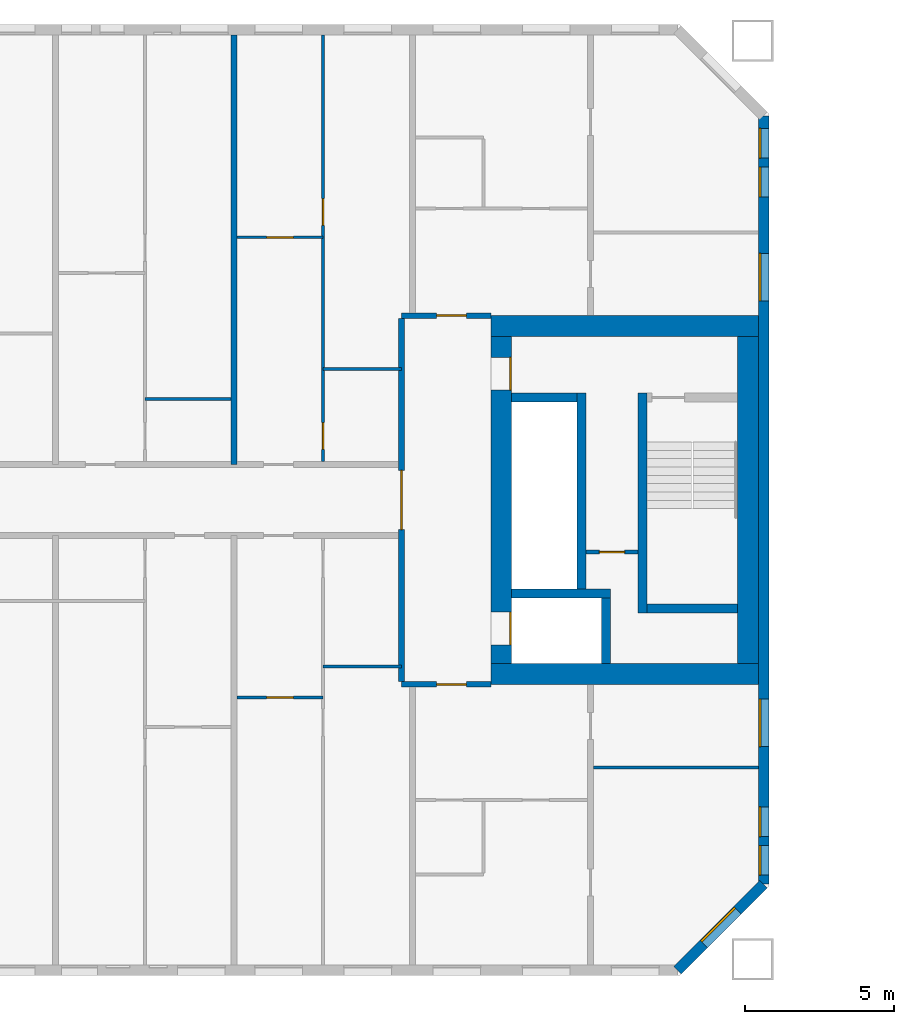
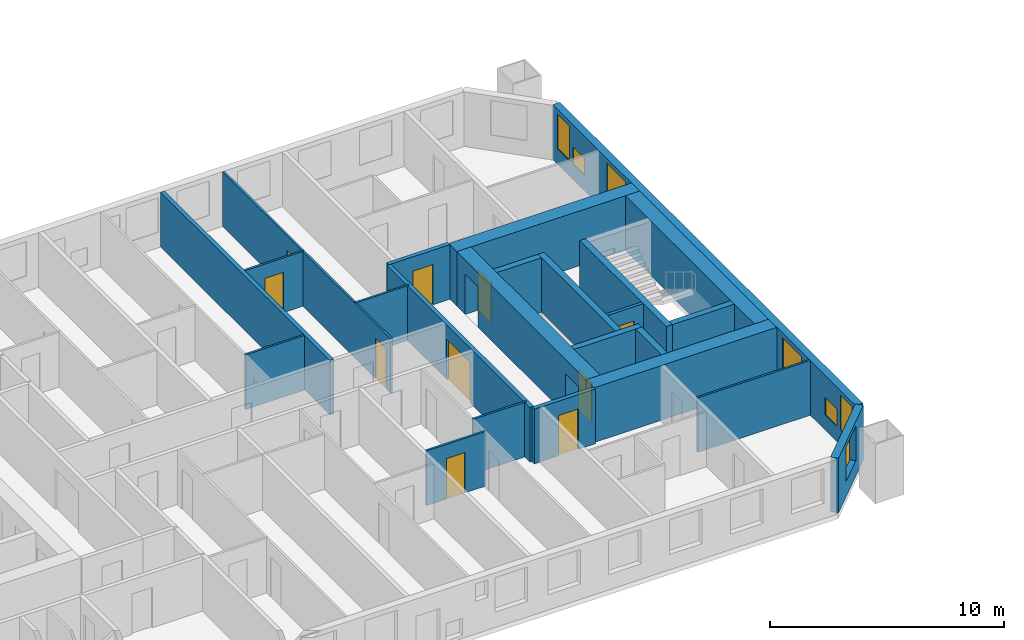
# One storey, part 7 of 17: 24 walls, 10 doors, 7 windows, 17 openings.
"""IFC4 building model written with IfcOpenShell, lengths in metres."""

from ifc_helpers import new_model, si_unit, direction, frame, frame_2d, origin, place, context, subcontext, project, spatial, rectangle, extrude, material, layer, layer_set, type_object, element, fill, save


model = new_model("IFC4")

# Units and contexts
model_context = context("Model", 3, precision=1e-05, world=origin(), true_north=direction((0.0, 1.0)))
body_context = subcontext(model_context, "Body", "Model", "MODEL_VIEW")
ifc_project = project(units=[si_unit("LENGTHUNIT", "METRE"), si_unit("AREAUNIT", "SQUARE_METRE"), si_unit("VOLUMEUNIT", "CUBIC_METRE"), si_unit("PLANEANGLEUNIT", "RADIAN"), si_unit("MASSUNIT", "GRAM", prefix="KILO")], contexts=[model_context])

# Site, building, storey
site_placement = place(None, origin())
site = spatial("IfcSite", under=ifc_project, at=site_placement, CompositionType="ELEMENT")
building_placement = place(site_placement, origin())
building = spatial("IfcBuilding", under=site, at=building_placement, Name="Tuart Gate Housing", CompositionType="ELEMENT")
storey_placement = place(building_placement, frame((0.0, 0.0, 84.0)))
storey = spatial("IfcBuildingStorey", under=building, at=storey_placement, Name="L23", CompositionType="ELEMENT", Elevation=84.0)

# Wall, opening, window
ifc_material_1 = material(Name="Brick", Category="masonry")
ifc_layer_1 = layer(ifc_material_1, 0.360107421875)
ifc_layer_set_1 = layer_set([ifc_layer_1], Name="Brick pier and spandrel wall 360")
wall_type_1 = type_object("IfcWallType", Name="Brick pier and spandrel wall 360", PredefinedType="STANDARD", material=ifc_layer_set_1)
wall_1_placement = place(storey_placement, frame((72.92529296875, 54.179931640625, 0.0), z_axis=(0.0, 0.0, 1.0), x_axis=(0.707106781187, 0.707106781187, 0.0)))
wall_1 = element("IfcWall", 1, at=wall_1_placement, inside=storey, type_object=wall_type_1, Name="External wall A-SE L23", PredefinedType="STANDARD", context=body_context, shape_type="SweptSolid", body=[
    extrude(rectangle(XDim=4.09375, YDim=0.360107421875, at=frame_2d((2.046875, 0.0))), origin(), (0.0, 0.0, 1.0), 2.85009765625),
])
opening_1_placement = place(wall_1_placement, frame((1.2470703125, 0.0, 0.800048828125)))
opening_1 = element("IfcOpeningElement", 2, at=opening_1_placement, cuts=wall_1, Name="Opening W1", PredefinedType="OPENING", context=body_context, shape_type="SweptSolid", body=[
    extrude(rectangle(XDim=1.60009765625, YDim=1.800048828125, at=frame_2d((0.800048828125, 0.89990234375))), frame((0.0, 0.18994140625, 0.0), z_axis=(0.0, -1.0, 0.0), x_axis=(1.0, 0.0, 0.0)), (0.0, 0.0, 1.0), 0.380126953125),
])
ifc_material_2 = material(Name="Aluminium frame with clear glass", Category="aluminium")
window_type_1 = type_object("IfcWindowType", Name="Punched window 1600 x 1800", PartitioningType="SINGLE_PANEL", PredefinedType="WINDOW", material=ifc_material_2)
window_1_placement = place(opening_1_placement, origin())
window_1 = element("IfcWindow", 3, at=window_1_placement, inside=storey, type_object=window_type_1, Name="Window W1", OverallHeight=1.800048828125, OverallWidth=1.60009765625, PartitioningType="SINGLE_PANEL", PredefinedType="WINDOW", context=body_context, shape_type="SweptSolid", body=[
    extrude(rectangle(XDim=1.60009765625, YDim=1.800048828125, at=frame_2d((0.800048828125, 0.89990234375))), frame((0.0, 0.150146484375, 0.0), z_axis=(0.0, -1.0, 0.0), x_axis=(1.0, 0.0, 0.0)), (0.0, 0.0, 1.0), 0.06005859375),
])
fill(opening_1, window_1)

# Wall, openings, windows
wall_2_placement = place(storey_placement, frame((75.820068359375, 57.07470703125, 0.0), z_axis=(0.0, 0.0, 1.0), x_axis=(0.0, 1.0, 0.0)))
wall_2 = element("IfcWall", 4, at=wall_2_placement, inside=storey, type_object=wall_type_1, Name="External wall A-E L23", PredefinedType="STANDARD", context=body_context, shape_type="SweptSolid", body=[
    extrude(rectangle(XDim=25.850830078125, YDim=0.360107421875, at=frame_2d((12.92529296875, 0.0))), origin(), (0.0, 0.0, 1.0), 2.85009765625),
])
opening_2_placement = place(wall_2_placement, frame((0.300048828125, 0.0, 0.800048828125)))
opening_2 = element("IfcOpeningElement", 5, at=opening_2_placement, cuts=wall_2, Name="Opening W1C", PredefinedType="OPENING", context=body_context, shape_type="SweptSolid", body=[
    extrude(rectangle(XDim=1.0, YDim=1.800048828125, at=frame_2d((0.5, 0.89990234375))), frame((0.0, 0.18994140625, 0.0), z_axis=(0.0, -1.0, 0.0), x_axis=(1.0, 0.0, 0.0)), (0.0, 0.0, 1.0), 0.380126953125),
])
opening_3_placement = place(wall_2_placement, frame((4.62548828125, 0.0, 0.800048828125)))
opening_3 = element("IfcOpeningElement", 6, at=opening_3_placement, cuts=wall_2, Name="Opening W1", PredefinedType="OPENING", context=body_context, shape_type="SweptSolid", body=[
    extrude(rectangle(XDim=1.60009765625, YDim=1.800048828125, at=frame_2d((0.800048828125, 0.89990234375))), frame((0.0, 0.18994140625, 0.0), z_axis=(0.0, -1.0, 0.0), x_axis=(1.0, 0.0, 0.0)), (0.0, 0.0, 1.0), 0.380126953125),
])
opening_4_placement = place(wall_2_placement, frame((19.62548828125, 0.0, 0.800048828125)))
opening_4 = element("IfcOpeningElement", 7, at=opening_4_placement, cuts=wall_2, Name="Opening W1", PredefinedType="OPENING", context=body_context, shape_type="SweptSolid", body=[
    extrude(rectangle(XDim=1.60009765625, YDim=1.800048828125, at=frame_2d((0.800048828125, 0.89990234375))), frame((0.0, 0.18994140625, 0.0), z_axis=(0.0, -1.0, 0.0), x_axis=(1.0, 0.0, 0.0)), (0.0, 0.0, 1.0), 0.380126953125),
])
opening_5_placement = place(wall_2_placement, frame((23.12548828125, 0.0, 0.800048828125)))
opening_5 = element("IfcOpeningElement", 8, at=opening_5_placement, cuts=wall_2, Name="Opening W1U", PredefinedType="OPENING", context=body_context, shape_type="SweptSolid", body=[
    extrude(rectangle(XDim=1.0, YDim=0.89990234375, at=frame_2d((0.5, 0.449951171875))), frame((0.0, 0.18994140625, 0.0), z_axis=(0.0, -1.0, 0.0), x_axis=(1.0, 0.0, 0.0)), (0.0, 0.0, 1.0), 0.380126953125),
])
opening_6_placement = place(wall_2_placement, frame((1.60009765625, 0.0, 0.800048828125)))
opening_6 = element("IfcOpeningElement", 9, at=opening_6_placement, cuts=wall_2, Name="Opening W1U", PredefinedType="OPENING", context=body_context, shape_type="SweptSolid", body=[
    extrude(rectangle(XDim=1.0, YDim=0.89990234375, at=frame_2d((0.5, 0.449951171875))), frame((0.0, 0.18994140625, 0.0), z_axis=(0.0, -1.0, 0.0), x_axis=(1.0, 0.0, 0.0)), (0.0, 0.0, 1.0), 0.380126953125),
])
opening_7_placement = place(wall_2_placement, frame((24.42529296875, 0.0, 0.800048828125)))
opening_7 = element("IfcOpeningElement", 10, at=opening_7_placement, cuts=wall_2, Name="Opening W1C", PredefinedType="OPENING", context=body_context, shape_type="SweptSolid", body=[
    extrude(rectangle(XDim=1.0, YDim=1.800048828125, at=frame_2d((0.5, 0.89990234375))), frame((0.0, 0.18994140625, 0.0), z_axis=(0.0, -1.0, 0.0), x_axis=(1.0, 0.0, 0.0)), (0.0, 0.0, 1.0), 0.380126953125),
])
ifc_material_3 = material(Name="Aluminium frame with clear glass", Category="aluminium")
window_type_2 = type_object("IfcWindowType", Name="Punched window 1000 x 1800", PartitioningType="SINGLE_PANEL", PredefinedType="WINDOW", material=ifc_material_3)
window_2_placement = place(opening_2_placement, origin())
window_2 = element("IfcWindow", 11, at=window_2_placement, inside=storey, type_object=window_type_2, Name="Window W1C", OverallHeight=1.800048828125, OverallWidth=1.0, PartitioningType="SINGLE_PANEL", PredefinedType="WINDOW", context=body_context, shape_type="SweptSolid", body=[
    extrude(rectangle(XDim=1.0, YDim=1.800048828125, at=frame_2d((0.5, 0.89990234375))), frame((0.0, 0.150146484375, 0.0), z_axis=(0.0, -1.0, 0.0), x_axis=(1.0, 0.0, 0.0)), (0.0, 0.0, 1.0), 0.06005859375),
])
fill(opening_2, window_2)
window_3_placement = place(opening_7_placement, origin())
window_3 = element("IfcWindow", 12, at=window_3_placement, inside=storey, type_object=window_type_2, Name="Window W1C", OverallHeight=1.800048828125, OverallWidth=1.0, PartitioningType="SINGLE_PANEL", PredefinedType="WINDOW", context=body_context, shape_type="SweptSolid", body=[
    extrude(rectangle(XDim=1.0, YDim=1.800048828125, at=frame_2d((0.5, 0.89990234375))), frame((0.0, 0.150146484375, 0.0), z_axis=(0.0, -1.0, 0.0), x_axis=(1.0, 0.0, 0.0)), (0.0, 0.0, 1.0), 0.06005859375),
])
fill(opening_7, window_3)
ifc_material_4 = material(Name="Aluminium frame with clear glass", Category="aluminium")
window_type_3 = type_object("IfcWindowType", Name="Punched window 1000 x 900", PartitioningType="SINGLE_PANEL", PredefinedType="WINDOW", material=ifc_material_4)
window_4_placement = place(opening_5_placement, origin())
window_4 = element("IfcWindow", 13, at=window_4_placement, inside=storey, type_object=window_type_3, Name="Window W1U", OverallHeight=0.89990234375, OverallWidth=1.0, PartitioningType="SINGLE_PANEL", PredefinedType="WINDOW", context=body_context, shape_type="SweptSolid", body=[
    extrude(rectangle(XDim=1.0, YDim=0.89990234375, at=frame_2d((0.5, 0.449951171875))), frame((0.0, 0.150146484375, 0.0), z_axis=(0.0, -1.0, 0.0), x_axis=(1.0, 0.0, 0.0)), (0.0, 0.0, 1.0), 0.06005859375),
])
fill(opening_5, window_4)
window_5_placement = place(opening_6_placement, origin())
window_5 = element("IfcWindow", 14, at=window_5_placement, inside=storey, type_object=window_type_3, Name="Window W1U", OverallHeight=0.89990234375, OverallWidth=1.0, PartitioningType="SINGLE_PANEL", PredefinedType="WINDOW", context=body_context, shape_type="SweptSolid", body=[
    extrude(rectangle(XDim=1.0, YDim=0.89990234375, at=frame_2d((0.5, 0.449951171875))), frame((0.0, 0.150146484375, 0.0), z_axis=(0.0, -1.0, 0.0), x_axis=(1.0, 0.0, 0.0)), (0.0, 0.0, 1.0), 0.06005859375),
])
fill(opening_6, window_5)
window_6_placement = place(opening_3_placement, origin())
window_6 = element("IfcWindow", 15, at=window_6_placement, inside=storey, type_object=window_type_1, Name="Window W1", OverallHeight=1.800048828125, OverallWidth=1.60009765625, PartitioningType="SINGLE_PANEL", PredefinedType="WINDOW", context=body_context, shape_type="SweptSolid", body=[
    extrude(rectangle(XDim=1.60009765625, YDim=1.800048828125, at=frame_2d((0.800048828125, 0.89990234375))), frame((0.0, 0.150146484375, 0.0), z_axis=(0.0, -1.0, 0.0), x_axis=(1.0, 0.0, 0.0)), (0.0, 0.0, 1.0), 0.06005859375),
])
fill(opening_3, window_6)
window_7_placement = place(opening_4_placement, origin())
window_7 = element("IfcWindow", 16, at=window_7_placement, inside=storey, type_object=window_type_1, Name="Window W1", OverallHeight=1.800048828125, OverallWidth=1.60009765625, PartitioningType="SINGLE_PANEL", PredefinedType="WINDOW", context=body_context, shape_type="SweptSolid", body=[
    extrude(rectangle(XDim=1.60009765625, YDim=1.800048828125, at=frame_2d((0.800048828125, 0.89990234375))), frame((0.0, 0.150146484375, 0.0), z_axis=(0.0, -1.0, 0.0), x_axis=(1.0, 0.0, 0.0)), (0.0, 0.0, 1.0), 0.06005859375),
])
fill(opening_4, window_7)

# Wall, opening, door
ifc_material_5 = material(Name="Plasterboard partition")
ifc_layer_2 = layer(ifc_material_5, 0.14990234375)
ifc_layer_set_2 = layer_set([ifc_layer_2], Name="Core partition 150")
wall_type_2 = type_object("IfcWallType", Name="Core partition 150", PredefinedType="PARTITIONING", material=ifc_layer_set_2)
wall_3_placement = place(storey_placement, frame((69.840087890625, 68.25, 0.0), z_axis=(0.0, 0.0, 1.0), x_axis=(1.0, 0.0, 0.0)))
wall_3 = element("IfcWall", 17, at=wall_3_placement, inside=storey, type_object=wall_type_2, Name="Core partition AG.3", PredefinedType="PARTITIONING", context=body_context, shape_type="SweptSolid", body=[
    extrude(rectangle(XDim=1.75, YDim=0.14990234375, at=frame_2d((0.875, 0.0))), origin(), (0.0, 0.0, 1.0), 2.85009765625),
])
opening_8_placement = place(wall_3_placement, frame((0.449951171875, 0.0, 0.0)))
opening_8 = element("IfcOpeningElement", 18, at=opening_8_placement, cuts=wall_3, Name="Opening D988", PredefinedType="OPENING", context=body_context, shape_type="SweptSolid", body=[
    extrude(rectangle(XDim=0.85009765625, YDim=2.10009765625, at=frame_2d((0.425048828125, 1.050048828125))), frame((0.0, 0.0849609375, 0.0), z_axis=(0.0, -1.0, 0.0), x_axis=(1.0, 0.0, 0.0)), (0.0, 0.0, 1.0), 0.169921875),
])
ifc_material_6 = material(Name="Steel fire door", Category="steel")
door_type_1 = type_object("IfcDoorType", Name="Riser door 850 x 2100 RH", OperationType="SINGLE_SWING_RIGHT", PredefinedType="DOOR", material=ifc_material_6)
door_1_placement = place(opening_8_placement, frame((0.85009765625, 0.0, 0.0), z_axis=(0.0, 0.0, 1.0), x_axis=(-1.0, 0.0, 0.0)))
door_1 = element("IfcDoor", 19, at=door_1_placement, inside=storey, type_object=door_type_1, Name="Service room door AG.E1", OperationType="SINGLE_SWING_RIGHT", OverallHeight=2.10009765625, OverallWidth=0.85009765625, PredefinedType="DOOR", context=body_context, shape_type="SweptSolid", body=[
    extrude(rectangle(XDim=0.85009765625, YDim=2.10009765625, at=frame_2d((0.425048828125, 1.050048828125))), frame((0.0, 0.025146484375, 0.0), z_axis=(0.0, -1.0, 0.0), x_axis=(1.0, 0.0, 0.0)), (0.0, 0.0, 1.0), 0.050048828125),
])
fill(opening_8, door_1)

# Walls
ifc_material_7 = material(Name="Concrete C50", Category="concrete")
ifc_layer_3 = layer(ifc_material_7, 0.300048828125)
ifc_layer_set_3 = layer_set([ifc_layer_3], Name="Core wall 300 C50")
wall_type_3 = type_object("IfcWallType", Name="Core wall 300 C50", PredefinedType="SHEAR", material=ifc_layer_set_3)
wall_4_placement = place(storey_placement, frame((71.889892578125, 66.35009765625, 0.0), z_axis=(0.0, 0.0, 1.0), x_axis=(1.0, 0.0, 0.0)))
element("IfcWall", 20, at=wall_4_placement, inside=storey, type_object=wall_type_3, Name="Core wall AG.1", PredefinedType="SHEAR", context=body_context, shape_type="SweptSolid", body=[
    extrude(rectangle(XDim=3.050048828125, YDim=0.300048828125, at=frame_2d((1.52490234375, 0.0))), origin(), (0.0, 0.0, 1.0), 2.85009765625),
])
wall_5_placement = place(storey_placement, frame((67.340087890625, 66.85009765625, 0.0), z_axis=(0.0, 0.0, 1.0), x_axis=(1.0, 0.0, 0.0)))
element("IfcWall", 21, at=wall_5_placement, inside=storey, type_object=wall_type_3, Name="Core wall AG.2", PredefinedType="SHEAR", context=body_context, shape_type="SweptSolid", body=[
    extrude(rectangle(XDim=3.31982421875, YDim=0.300048828125, at=frame_2d((1.659912109375, 0.0))), origin(), (0.0, 0.0, 1.0), 2.85009765625),
])
wall_6_placement = place(storey_placement, frame((67.340087890625, 73.449951171875, 0.0), z_axis=(0.0, 0.0, 1.0), x_axis=(1.0, 0.0, 0.0)))
element("IfcWall", 22, at=wall_6_placement, inside=storey, type_object=wall_type_3, Name="Core wall AG.4", PredefinedType="SHEAR", context=body_context, shape_type="SweptSolid", body=[
    extrude(rectangle(XDim=2.199951171875, YDim=0.300048828125, at=frame_2d((1.10009765625, 0.0))), origin(), (0.0, 0.0, 1.0), 2.85009765625),
])
wall_7_placement = place(storey_placement, frame((69.68994140625, 67.0, 0.0), z_axis=(0.0, 0.0, 1.0), x_axis=(0.0, 1.0, 0.0)))
element("IfcWall", 23, at=wall_7_placement, inside=storey, type_object=wall_type_3, Name="Core wall AG.6", PredefinedType="SHEAR", context=body_context, shape_type="SweptSolid", body=[
    extrude(rectangle(XDim=6.60009765625, YDim=0.300048828125, at=frame_2d((3.300048828125, 0.0))), origin(), (0.0, 0.0, 1.0), 2.85009765625),
])
wall_8_placement = place(storey_placement, frame((70.510009765625, 64.5, 0.0), z_axis=(0.0, 0.0, 1.0), x_axis=(0.0, 1.0, 0.0)))
element("IfcWall", 24, at=wall_8_placement, inside=storey, type_object=wall_type_3, Name="Core wall AG.7", PredefinedType="SHEAR", context=body_context, shape_type="SweptSolid", body=[
    extrude(rectangle(XDim=2.199951171875, YDim=0.300048828125, at=frame_2d((1.10009765625, 0.0))), origin(), (0.0, 0.0, 1.0), 2.85009765625),
])
wall_9_placement = place(storey_placement, frame((71.739990234375, 66.199951171875, 0.0), z_axis=(0.0, 0.0, 1.0), x_axis=(0.0, 1.0, 0.0)))
element("IfcWall", 25, at=wall_9_placement, inside=storey, type_object=wall_type_3, Name="Core wall AG.8", PredefinedType="SHEAR", context=body_context, shape_type="SweptSolid", body=[
    extrude(rectangle(XDim=7.400146484375, YDim=0.300048828125, at=frame_2d((3.7001953125, 0.0))), origin(), (0.0, 0.0, 1.0), 2.85009765625),
])

# Wall, openings, doors
ifc_material_8 = material(Name="Concrete C50", Category="concrete")
ifc_layer_4 = layer(ifc_material_8, 0.699951171875)
ifc_layer_set_4 = layer_set([ifc_layer_4], Name="Core wall 700 C50")
wall_type_4 = type_object("IfcWallType", Name="Core wall 700 C50", PredefinedType="SHEAR", material=ifc_layer_set_4)
wall_10_placement = place(storey_placement, frame((66.989990234375, 64.5, 0.0), z_axis=(0.0, 0.0, 1.0), x_axis=(0.0, 1.0, 0.0)))
wall_10 = element("IfcWall", 26, at=wall_10_placement, inside=storey, type_object=wall_type_4, Name="Core wall AG front", PredefinedType="SHEAR", context=body_context, shape_type="SweptSolid", body=[
    extrude(rectangle(XDim=11.0, YDim=0.699951171875, at=frame_2d((5.5, 0.0))), origin(), (0.0, 0.0, 1.0), 2.85009765625),
])
opening_9_placement = place(wall_10_placement, frame((0.625, 0.0, 0.0)))
opening_9 = element("IfcOpeningElement", 27, at=opening_9_placement, cuts=wall_10, Name="Opening LD-FA1", PredefinedType="OPENING", context=body_context, shape_type="SweptSolid", body=[
    extrude(rectangle(XDim=1.10009765625, YDim=2.10009765625, at=frame_2d((0.550048828125, 1.050048828125))), frame((0.0, 0.35986328125, 0.0), z_axis=(0.0, -1.0, 0.0), x_axis=(1.0, 0.0, 0.0)), (0.0, 0.0, 1.0), 0.719970703125),
])
opening_10_placement = place(wall_10_placement, frame((9.199951171875, 0.0, 0.0)))
opening_10 = element("IfcOpeningElement", 28, at=opening_10_placement, cuts=wall_10, Name="Opening D984", PredefinedType="OPENING", context=body_context, shape_type="SweptSolid", body=[
    extrude(rectangle(XDim=1.10009765625, YDim=2.10009765625, at=frame_2d((0.550048828125, 1.050048828125))), frame((0.0, 0.35986328125, 0.0), z_axis=(0.0, -1.0, 0.0), x_axis=(1.0, 0.0, 0.0)), (0.0, 0.0, 1.0), 0.719970703125),
])
ifc_material_9 = material(Name="Stainless steel", Category="steel")
door_type_2 = type_object("IfcDoorType", Name="Landing door 1100 x 2100", OperationType="DOUBLE_DOOR_SLIDING", PredefinedType="DOOR", material=ifc_material_9)
door_2_placement = place(opening_9_placement, origin())
door_2 = element("IfcDoor", 29, at=door_2_placement, inside=storey, type_object=door_type_2, Name="Lift landing door FA1", OperationType="DOUBLE_DOOR_SLIDING", OverallHeight=2.10009765625, OverallWidth=1.10009765625, PredefinedType="DOOR", context=body_context, shape_type="SweptSolid", body=[
    extrude(rectangle(XDim=1.10009765625, YDim=2.10009765625, at=frame_2d((0.550048828125, 1.050048828125))), frame((0.0, -0.28515625, 0.0), z_axis=(0.0, -1.0, 0.0), x_axis=(1.0, 0.0, 0.0)), (0.0, 0.0, 1.0), 0.050048828125),
])
fill(opening_9, door_2)
ifc_material_10 = material(Name="Steel fire door", Category="steel")
door_type_3 = type_object("IfcDoorType", Name="Lobby door 1100 x 2100 RH", OperationType="SINGLE_SWING_RIGHT", PredefinedType="DOOR", material=ifc_material_10)
door_3_placement = place(opening_10_placement, frame((1.10009765625, 0.0, 0.0), z_axis=(0.0, 0.0, 1.0), x_axis=(-1.0, 0.0, 0.0)))
door_3 = element("IfcDoor", 30, at=door_3_placement, inside=storey, type_object=door_type_3, Name="Lobby entry door AG.EN", OperationType="SINGLE_SWING_RIGHT", OverallHeight=2.10009765625, OverallWidth=1.10009765625, PredefinedType="DOOR", context=body_context, shape_type="SweptSolid", body=[
    extrude(rectangle(XDim=1.10009765625, YDim=2.10009765625, at=frame_2d((0.550048828125, 1.050048828125))), frame((0.0, 0.335205078125, 0.0), z_axis=(0.0, -1.0, 0.0), x_axis=(1.0, 0.0, 0.0)), (0.0, 0.0, 1.0), 0.050048828125),
])
fill(opening_10, door_3)

# Walls
wall_11_placement = place(storey_placement, frame((75.2900390625, 64.5, 0.0), z_axis=(0.0, 0.0, 1.0), x_axis=(0.0, 1.0, 0.0)))
element("IfcWall", 31, at=wall_11_placement, inside=storey, type_object=wall_type_4, Name="Core wall AG back", PredefinedType="SHEAR", context=body_context, shape_type="SweptSolid", body=[
    extrude(rectangle(XDim=11.0, YDim=0.699951171875, at=frame_2d((5.5, 0.0))), origin(), (0.0, 0.0, 1.0), 2.85009765625),
])
for number, where, z_axis, x_axis, name in (
    (32, (66.639892578125, 64.14990234375, 0.0), (0.0, 0.0, 1.0), (1.0, 0.0, 0.0), "Core wall AG south"),
    (33, (66.639892578125, 75.85009765625, 0.0), (0.0, 0.0, 1.0), (1.0, 0.0, 0.0), "Core wall AG north"),
):
    element("IfcWall", number, at=place(storey_placement, frame(where, z_axis=z_axis, x_axis=x_axis)), inside=storey, type_object=wall_type_4, Name=name, PredefinedType="SHEAR", context=body_context, shape_type="SweptSolid", body=[
        extrude(rectangle(XDim=9.0, YDim=0.699951171875, at=frame_2d((4.5, 0.0))), origin(), (0.0, 0.0, 1.0), 2.85009765625),
    ])

# Wall, opening, door
ifc_material_11 = material(Name="Concrete masonry 15 MPa", Category="masonry")
ifc_layer_5 = layer(ifc_material_11, 0.199951171875)
ifc_layer_set_5 = layer_set([ifc_layer_5], Name="Enclosure wall masonry 200")
wall_type_5 = type_object("IfcWallType", Name="Enclosure wall masonry 200", PredefinedType="PARTITIONING", material=ifc_layer_set_5)
wall_12_placement = place(storey_placement, frame((63.639892578125, 63.800048828125, 0.0), z_axis=(0.0, 0.0, 1.0), x_axis=(1.0, 0.0, 0.0)))
wall_12 = element("IfcWall", 34, at=wall_12_placement, inside=storey, type_object=wall_type_5, Name="Enclosure wall masonry 200", PredefinedType="PARTITIONING", context=body_context, shape_type="SweptSolid", body=[
    extrude(rectangle(XDim=3.0, YDim=0.199951171875, at=frame_2d((1.5, 0.0))), origin(), (0.0, 0.0, 1.0), 2.85009765625),
])
opening_11_placement = place(wall_12_placement, frame((1.179931640625, 0.0, 0.0)))
opening_11 = element("IfcOpeningElement", 35, at=opening_11_placement, cuts=wall_12, Name="Opening D992", PredefinedType="OPENING", context=body_context, shape_type="SweptSolid", body=[
    extrude(rectangle(XDim=1.0, YDim=2.10009765625, at=frame_2d((0.5, 1.050048828125))), frame((0.0, 0.10986328125, 0.0), z_axis=(0.0, -1.0, 0.0), x_axis=(1.0, 0.0, 0.0)), (0.0, 0.0, 1.0), 0.219970703125),
])
ifc_material_12 = material(Name="Timber door leaf in steel frame", Category="steel")
door_type_4 = type_object("IfcDoorType", Name="Flat entrance door 1000 RH", OperationType="SINGLE_SWING_RIGHT", PredefinedType="DOOR", material=ifc_material_12)
door_4_placement = place(opening_11_placement, frame((1.0, 0.0, 0.0), z_axis=(0.0, 0.0, 1.0), x_axis=(-1.0, 0.0, 0.0)))
door_4 = element("IfcDoor", 36, at=door_4_placement, inside=storey, type_object=door_type_4, Name="Flat entrance door", OperationType="SINGLE_SWING_RIGHT", OverallHeight=2.10009765625, OverallWidth=1.0, PredefinedType="DOOR", context=body_context, shape_type="SweptSolid", body=[
    extrude(rectangle(XDim=1.0, YDim=2.10009765625, at=frame_2d((0.5, 1.050048828125))), frame((0.0, 0.025146484375, 0.0), z_axis=(0.0, -1.0, 0.0), x_axis=(1.0, 0.0, 0.0)), (0.0, 0.0, 1.0), 0.050048828125),
])
fill(opening_11, door_4)

wall_13_placement = place(storey_placement, frame((63.639892578125, 76.199951171875, 0.0), z_axis=(0.0, 0.0, 1.0), x_axis=(1.0, 0.0, 0.0)))
wall_13 = element("IfcWall", 37, at=wall_13_placement, inside=storey, type_object=wall_type_5, Name="Enclosure wall masonry 200", PredefinedType="PARTITIONING", context=body_context, shape_type="SweptSolid", body=[
    extrude(rectangle(XDim=3.0, YDim=0.199951171875, at=frame_2d((1.5, 0.0))), origin(), (0.0, 0.0, 1.0), 2.85009765625),
])
opening_12_placement = place(wall_13_placement, frame((1.179931640625, 0.0, 0.0)))
opening_12 = element("IfcOpeningElement", 38, at=opening_12_placement, cuts=wall_13, Name="Opening D972", PredefinedType="OPENING", context=body_context, shape_type="SweptSolid", body=[
    extrude(rectangle(XDim=1.0, YDim=2.10009765625, at=frame_2d((0.5, 1.050048828125))), frame((0.0, 0.10986328125, 0.0), z_axis=(0.0, -1.0, 0.0), x_axis=(1.0, 0.0, 0.0)), (0.0, 0.0, 1.0), 0.219970703125),
])
ifc_material_13 = material(Name="Timber door leaf in steel frame", Category="steel")
door_type_5 = type_object("IfcDoorType", Name="Flat entrance door 1000", OperationType="SINGLE_SWING_LEFT", PredefinedType="DOOR", material=ifc_material_13)
door_5_placement = place(opening_12_placement, origin())
door_5 = element("IfcDoor", 39, at=door_5_placement, inside=storey, type_object=door_type_5, Name="Flat entrance door", OperationType="SINGLE_SWING_LEFT", OverallHeight=2.10009765625, OverallWidth=1.0, PredefinedType="DOOR", context=body_context, shape_type="SweptSolid", body=[
    extrude(rectangle(XDim=1.0, YDim=2.10009765625, at=frame_2d((0.5, 1.050048828125))), frame((0.0, 0.02490234375, 0.0), z_axis=(0.0, -1.0, 0.0), x_axis=(1.0, 0.0, 0.0)), (0.0, 0.0, 1.0), 0.050048828125),
])
fill(opening_12, door_5)

ifc_material_14 = material(Name="Plasterboard partition")
ifc_layer_6 = layer(ifc_material_14, 0.199951171875)
ifc_layer_set_6 = layer_set([ifc_layer_6], Name="Lobby wall 200")
wall_type_6 = type_object("IfcWallType", Name="Lobby wall 200", PredefinedType="PARTITIONING", material=ifc_layer_set_6)
wall_14_placement = place(storey_placement, frame((63.639892578125, 63.89990234375, 0.0), z_axis=(0.0, 0.0, 1.0), x_axis=(0.0, 1.0, 0.0)))
wall_14 = element("IfcWall", 40, at=wall_14_placement, inside=storey, type_object=wall_type_6, Name="Lift lobby wall AG", PredefinedType="PARTITIONING", context=body_context, shape_type="SweptSolid", body=[
    extrude(rectangle(XDim=12.2001953125, YDim=0.199951171875, at=frame_2d((6.10009765625, 0.0))), origin(), (0.0, 0.0, 1.0), 2.85009765625),
])
opening_13_placement = place(wall_14_placement, frame((5.10009765625, 0.0, 0.0)))
opening_13 = element("IfcOpeningElement", 41, at=opening_13_placement, cuts=wall_14, Name="Opening D983", PredefinedType="OPENING", context=body_context, shape_type="SweptSolid", body=[
    extrude(rectangle(XDim=2.0, YDim=2.10009765625, at=frame_2d((1.0, 1.050048828125))), frame((0.0, 0.10986328125, 0.0), z_axis=(0.0, -1.0, 0.0), x_axis=(1.0, 0.0, 0.0)), (0.0, 0.0, 1.0), 0.219970703125),
])
ifc_material_15 = material(Name="Steel fire door", Category="steel")
door_type_6 = type_object("IfcDoorType", Name="Smoke door 2000 x 2100", OperationType="DOUBLE_DOOR_SINGLE_SWING", PredefinedType="DOOR", material=ifc_material_15)
door_6_placement = place(opening_13_placement, frame((2.0, 0.0, 0.0), z_axis=(0.0, 0.0, 1.0), x_axis=(-1.0, 0.0, 0.0)))
door_6 = element("IfcDoor", 42, at=door_6_placement, inside=storey, type_object=door_type_6, Name="Lift lobby smoke door AG", OperationType="DOUBLE_DOOR_SINGLE_SWING", OverallHeight=2.10009765625, OverallWidth=2.0, PredefinedType="DOOR", context=body_context, shape_type="SweptSolid", body=[
    extrude(rectangle(XDim=2.0, YDim=2.10009765625, at=frame_2d((1.0, 1.050048828125))), frame((0.0, 0.025146484375, 0.0), z_axis=(0.0, -1.0, 0.0), x_axis=(1.0, 0.0, 0.0)), (0.0, 0.0, 1.0), 0.050048828125),
])
fill(opening_13, door_6)

# Wall
ifc_material_16 = material(Name="Gypsum board on steel studs", Category="steel")
ifc_layer_7 = layer(ifc_material_16, 0.10009765625)
ifc_layer_set_7 = layer_set([ifc_layer_7], Name="Partition 100")
wall_type_7 = type_object("IfcWallType", Name="Partition 100", PredefinedType="PARTITIONING", material=ifc_layer_set_7)
wall_15_placement = place(storey_placement, frame((70.10009765625, 61.0, 0.0), z_axis=(0.0, 0.0, 1.0), x_axis=(1.0, 0.0, 0.0)))
element("IfcWall", 43, at=wall_15_placement, inside=storey, type_object=wall_type_7, Name="Partition 100", PredefinedType="PARTITIONING", context=body_context, shape_type="SweptSolid", body=[
    extrude(rectangle(XDim=5.539794921875, YDim=0.10009765625, at=frame_2d((2.77001953125, 0.0))), origin(), (0.0, 0.0, 1.0), 2.85009765625),
])

# Wall, opening, door
wall_16_placement = place(storey_placement, frame((58.10009765625, 63.360107421875, 0.0), z_axis=(0.0, 0.0, 1.0), x_axis=(1.0, 0.0, 0.0)))
wall_16 = element("IfcWall", 44, at=wall_16_placement, inside=storey, type_object=wall_type_7, Name="Partition 100", PredefinedType="PARTITIONING", context=body_context, shape_type="SweptSolid", body=[
    extrude(rectangle(XDim=2.89990234375, YDim=0.10009765625, at=frame_2d((1.449951171875, 0.0))), origin(), (0.0, 0.0, 1.0), 2.85009765625),
])
opening_14_placement = place(wall_16_placement, frame((1.0, 0.0, 0.0)))
opening_14 = element("IfcOpeningElement", 45, at=opening_14_placement, cuts=wall_16, Name="Opening D993", PredefinedType="OPENING", context=body_context, shape_type="SweptSolid", body=[
    extrude(rectangle(XDim=0.89990234375, YDim=2.10009765625, at=frame_2d((0.449951171875, 1.050048828125))), frame((0.0, 0.06005859375, 0.0), z_axis=(0.0, -1.0, 0.0), x_axis=(1.0, 0.0, 0.0)), (0.0, 0.0, 1.0), 0.1201171875),
])
ifc_material_17 = material(Name="Timber door leaf in steel frame", Category="steel")
door_type_7 = type_object("IfcDoorType", Name="Internal door 900 RH", OperationType="SINGLE_SWING_RIGHT", PredefinedType="DOOR", material=ifc_material_17)
door_7_placement = place(opening_14_placement, origin())
door_7 = element("IfcDoor", 46, at=door_7_placement, inside=storey, type_object=door_type_7, Name="Internal door", OperationType="SINGLE_SWING_RIGHT", OverallHeight=2.10009765625, OverallWidth=0.89990234375, PredefinedType="DOOR", context=body_context, shape_type="SweptSolid", body=[
    extrude(rectangle(XDim=0.89990234375, YDim=2.10009765625, at=frame_2d((0.449951171875, 1.050048828125))), frame((0.0, 0.02490234375, 0.0), z_axis=(0.0, -1.0, 0.0), x_axis=(1.0, 0.0, 0.0)), (0.0, 0.0, 1.0), 0.050048828125),
])
fill(opening_14, door_7)

# Walls
wall_17_placement = place(storey_placement, frame((61.0, 64.39990234375, 0.0), z_axis=(0.0, 0.0, 1.0), x_axis=(1.0, 0.0, 0.0)))
element("IfcWall", 47, at=wall_17_placement, inside=storey, type_object=wall_type_7, Name="Partition 100", PredefinedType="PARTITIONING", context=body_context, shape_type="SweptSolid", body=[
    extrude(rectangle(XDim=2.639892578125, YDim=0.10009765625, at=frame_2d((1.31982421875, 0.0))), origin(), (0.0, 0.0, 1.0), 2.85009765625),
])
wall_18_placement = place(storey_placement, frame((55.0, 73.39990234375, 0.0), z_axis=(0.0, 0.0, 1.0), x_axis=(1.0, 0.0, 0.0)))
element("IfcWall", 48, at=wall_18_placement, inside=storey, type_object=wall_type_7, Name="Partition 100", PredefinedType="PARTITIONING", context=body_context, shape_type="SweptSolid", body=[
    extrude(rectangle(XDim=2.89990234375, YDim=0.10009765625, at=frame_2d((1.449951171875, 0.0))), origin(), (0.0, 0.0, 1.0), 2.85009765625),
])
wall_19_placement = place(storey_placement, frame((61.0, 74.39990234375, 0.0), z_axis=(0.0, 0.0, 1.0), x_axis=(1.0, 0.0, 0.0)))
element("IfcWall", 49, at=wall_19_placement, inside=storey, type_object=wall_type_7, Name="Partition 100", PredefinedType="PARTITIONING", context=body_context, shape_type="SweptSolid", body=[
    extrude(rectangle(XDim=2.639892578125, YDim=0.10009765625, at=frame_2d((1.31982421875, 0.0))), origin(), (0.0, 0.0, 1.0), 2.85009765625),
])

# Wall, opening, door
wall_20_placement = place(storey_placement, frame((58.10009765625, 78.840087890625, 0.0), z_axis=(0.0, 0.0, 1.0), x_axis=(1.0, 0.0, 0.0)))
wall_20 = element("IfcWall", 50, at=wall_20_placement, inside=storey, type_object=wall_type_7, Name="Partition 100", PredefinedType="PARTITIONING", context=body_context, shape_type="SweptSolid", body=[
    extrude(rectangle(XDim=2.89990234375, YDim=0.10009765625, at=frame_2d((1.449951171875, 0.0))), origin(), (0.0, 0.0, 1.0), 2.85009765625),
])
opening_15_placement = place(wall_20_placement, frame((1.0, 0.0, 0.0)))
opening_15 = element("IfcOpeningElement", 51, at=opening_15_placement, cuts=wall_20, Name="Opening D960", PredefinedType="OPENING", context=body_context, shape_type="SweptSolid", body=[
    extrude(rectangle(XDim=0.89990234375, YDim=2.10009765625, at=frame_2d((0.449951171875, 1.050048828125))), frame((0.0, 0.06005859375, 0.0), z_axis=(0.0, -1.0, 0.0), x_axis=(1.0, 0.0, 0.0)), (0.0, 0.0, 1.0), 0.1201171875),
])
ifc_material_18 = material(Name="Timber door leaf in steel frame", Category="steel")
door_type_8 = type_object("IfcDoorType", Name="Internal door 900", OperationType="SINGLE_SWING_LEFT", PredefinedType="DOOR", material=ifc_material_18)
door_8_placement = place(opening_15_placement, frame((0.89990234375, 0.0, 0.0), z_axis=(0.0, 0.0, 1.0), x_axis=(-1.0, 0.0, 0.0)))
door_8 = element("IfcDoor", 52, at=door_8_placement, inside=storey, type_object=door_type_8, Name="Internal door", OperationType="SINGLE_SWING_LEFT", OverallHeight=2.10009765625, OverallWidth=0.89990234375, PredefinedType="DOOR", context=body_context, shape_type="SweptSolid", body=[
    extrude(rectangle(XDim=0.89990234375, YDim=2.10009765625, at=frame_2d((0.449951171875, 1.050048828125))), frame((0.0, 0.025146484375, 0.0), z_axis=(0.0, -1.0, 0.0), x_axis=(1.0, 0.0, 0.0)), (0.0, 0.0, 1.0), 0.050048828125),
])
fill(opening_15, door_8)

# Wall, openings, doors
wall_21_placement = place(storey_placement, frame((61.0, 71.300048828125, 0.0), z_axis=(0.0, 0.0, 1.0), x_axis=(0.0, 1.0, 0.0)))
wall_21 = element("IfcWall", 53, at=wall_21_placement, inside=storey, type_object=wall_type_7, Name="Partition 100", PredefinedType="PARTITIONING", context=body_context, shape_type="SweptSolid", body=[
    extrude(rectangle(XDim=14.33984375, YDim=0.10009765625, at=frame_2d((7.169921875, 0.0))), origin(), (0.0, 0.0, 1.0), 2.85009765625),
])
opening_16_placement = place(wall_21_placement, frame((7.93994140625, 0.0, 0.0)))
opening_16 = element("IfcOpeningElement", 54, at=opening_16_placement, cuts=wall_21, Name="Opening D968", PredefinedType="OPENING", context=body_context, shape_type="SweptSolid", body=[
    extrude(rectangle(XDim=0.89990234375, YDim=2.10009765625, at=frame_2d((0.449951171875, 1.050048828125))), frame((0.0, 0.06005859375, 0.0), z_axis=(0.0, -1.0, 0.0), x_axis=(1.0, 0.0, 0.0)), (0.0, 0.0, 1.0), 0.1201171875),
])
opening_17_placement = place(wall_21_placement, frame((0.39990234375, 0.0, 0.0)))
opening_17 = element("IfcOpeningElement", 55, at=opening_17_placement, cuts=wall_21, Name="Opening D967", PredefinedType="OPENING", context=body_context, shape_type="SweptSolid", body=[
    extrude(rectangle(XDim=0.89990234375, YDim=2.10009765625, at=frame_2d((0.449951171875, 1.050048828125))), frame((0.0, 0.06005859375, 0.0), z_axis=(0.0, -1.0, 0.0), x_axis=(1.0, 0.0, 0.0)), (0.0, 0.0, 1.0), 0.1201171875),
])
ifc_material_19 = material(Name="Timber door leaf in steel frame", Category="steel")
door_type_9 = type_object("IfcDoorType", Name="Bathroom door 900 RH", OperationType="SINGLE_SWING_RIGHT", PredefinedType="DOOR", material=ifc_material_19)
door_9_placement = place(opening_17_placement, frame((0.89990234375, 0.0, 0.0), z_axis=(0.0, 0.0, 1.0), x_axis=(-1.0, 0.0, 0.0)))
door_9 = element("IfcDoor", 56, at=door_9_placement, inside=storey, type_object=door_type_9, Name="Bathroom door", OperationType="SINGLE_SWING_RIGHT", OverallHeight=2.10009765625, OverallWidth=0.89990234375, PredefinedType="DOOR", context=body_context, shape_type="SweptSolid", body=[
    extrude(rectangle(XDim=0.89990234375, YDim=2.10009765625, at=frame_2d((0.449951171875, 1.050048828125))), frame((0.0, 0.025146484375, 0.0), z_axis=(0.0, -1.0, 0.0), x_axis=(1.0, 0.0, 0.0)), (0.0, 0.0, 1.0), 0.050048828125),
])
fill(opening_17, door_9)
door_10_placement = place(opening_16_placement, frame((0.89990234375, 0.0, 0.0), z_axis=(0.0, 0.0, 1.0), x_axis=(-1.0, 0.0, 0.0)))
door_10 = element("IfcDoor", 57, at=door_10_placement, inside=storey, type_object=door_type_7, Name="Internal door", OperationType="SINGLE_SWING_RIGHT", OverallHeight=2.10009765625, OverallWidth=0.89990234375, PredefinedType="DOOR", context=body_context, shape_type="SweptSolid", body=[
    extrude(rectangle(XDim=0.89990234375, YDim=2.10009765625, at=frame_2d((0.449951171875, 1.050048828125))), frame((0.0, 0.025146484375, 0.0), z_axis=(0.0, -1.0, 0.0), x_axis=(1.0, 0.0, 0.0)), (0.0, 0.0, 1.0), 0.050048828125),
])
fill(opening_16, door_10)

# Wall
ifc_material_20 = material(Name="Concrete C40", Category="concrete")
ifc_layer_8 = layer(ifc_material_20, 0.199951171875)
ifc_layer_set_8 = layer_set([ifc_layer_8], Name="Party wall concrete C40 200")
wall_type_8 = type_object("IfcWallType", Name="Party wall concrete C40 200", PredefinedType="SOLIDWALL", material=ifc_layer_set_8)
wall_22_placement = place(storey_placement, frame((58.0, 71.199951171875, 0.0), z_axis=(0.0, 0.0, 1.0), x_axis=(0.0, 1.0, 0.0)))
element("IfcWall", 58, at=wall_22_placement, inside=storey, type_object=wall_type_8, Name="Party wall concrete C40 200", PredefinedType="SOLIDWALL", context=body_context, shape_type="SweptSolid", body=[
    extrude(rectangle(XDim=14.43994140625, YDim=0.199951171875, at=frame_2d((7.219970703125, 0.0))), origin(), (0.0, 0.0, 1.0), 2.85009765625),
])

save(model, "model.ifc")
